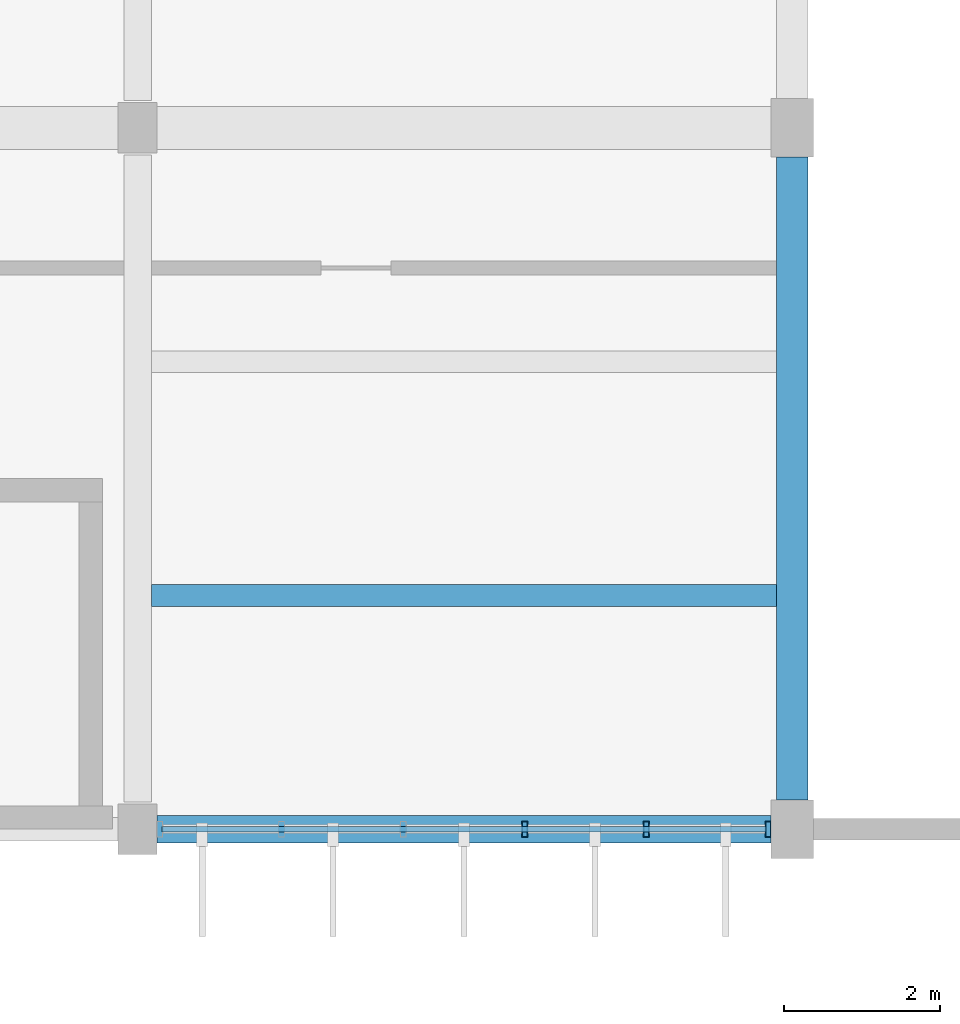
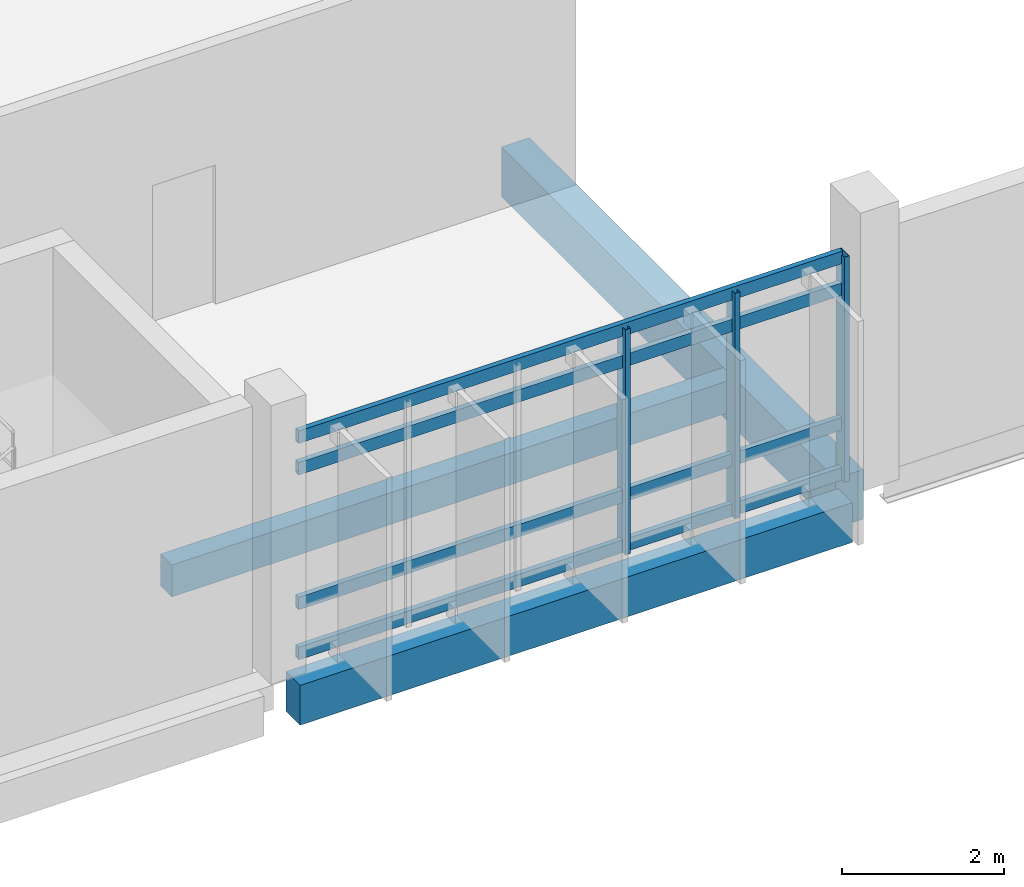
# One storey, part 66 of 101: 7 members, 3 beams, 1 element without a shape of its own.
"""IFC4 building model written with IfcOpenShell, lengths in metres."""

from ifc_helpers import new_model, si_unit, direction, frame, origin, origin_2d, place, context, subcontext, project, spatial, rectangle, hollow_rectangle, extrude, material, layer, layer_set, material_profile, profile_set, type_object, element, aggregate, save


model = new_model("IFC4")

# Units and contexts
model_context = context("Model", 3, precision=1e-05, world=origin(), true_north=direction((0.0, 1.0)))
body_context = subcontext(model_context, "Body", "Model", "MODEL_VIEW")
ifc_project = project(units=[si_unit("LENGTHUNIT", "METRE"), si_unit("AREAUNIT", "SQUARE_METRE"), si_unit("VOLUMEUNIT", "CUBIC_METRE"), si_unit("PLANEANGLEUNIT", "RADIAN"), si_unit("MASSUNIT", "GRAM", prefix="KILO")], contexts=[model_context])

# Site, building, storey
site_placement = place(None, origin())
site = spatial("IfcSite", under=ifc_project, at=site_placement, CompositionType="ELEMENT")
building_placement = place(site_placement, origin())
building = spatial("IfcBuilding", under=site, at=building_placement, Name="Vireocrest Preparatory School", CompositionType="ELEMENT")
storey_placement = place(building_placement, frame((0.0, 0.0, 4.800048828125)))
storey = spatial("IfcBuildingStorey", under=building, at=storey_placement, Name="L01", CompositionType="ELEMENT", Elevation=4.800048828125)

# Curtain wall, members
ifc_material_1 = material(Name="Thermally broken aluminium EN AW-6063-T6", Category="aluminium")
ifc_layer = layer(ifc_material_1, 0.179931640625)
ifc_layer_set = layer_set([ifc_layer], Name="Thermally broken aluminium EN AW-6063-T6")
curtain_wall_type = type_object("IfcCurtainWallType", Name="Side Facade Curtain Wall 9000x4200", PredefinedType="USERDEFINED", material=ifc_layer_set)
curtain_wall_placement = place(storey_placement, origin())
curtain_wall = element("IfcCurtainWall", 1, at=curtain_wall_placement, inside=storey, type_object=curtain_wall_type, Name="Curtain Wall CW07 CW_L01_CW07_1346_0180_048", ObjectType="CURTAIN WALL", PredefinedType="USERDEFINED")
ifc_material_profile_1 = material_profile(ifc_material_1, hollow_rectangle(XDim=0.074951171875, YDim=0.199951171875, WallThickness=0.0048828125, at=origin_2d()), Name="ALU 75x200x5")
ifc_profile_set_1 = profile_set([ifc_material_profile_1], Name="Thermally broken aluminium EN AW-6063-T6")
member_type_1 = type_object("IfcMemberType", Name="CW Mullion 75x200x5", PredefinedType="MULLION", material=ifc_profile_set_1)
member_1_placement = place(storey_placement, frame((139.367919921875, 18.0, 0.0), z_axis=(0.0, 0.0, 1.0), x_axis=(1.0, 0.0, 0.0)))
member_1 = element("IfcMember", 2, at=member_1_placement, type_object=member_type_1, Name="CW Mullion ML3 CW_L01_CW07_1346_0180_048-4", PredefinedType="MULLION", context=body_context, shape_type="SweptSolid", body=[
    extrude(hollow_rectangle(XDim=0.074951171875, YDim=0.199951171875, WallThickness=0.0048828125, at=origin_2d()), origin(), (0.0, 0.0, 1.0), 3.39501953125),
])
member_2_placement = place(storey_placement, frame((140.928955078125, 18.0, 0.0), z_axis=(0.0, 0.0, 1.0), x_axis=(1.0, 0.0, 0.0)))
member_2 = element("IfcMember", 3, at=member_2_placement, type_object=member_type_1, Name="CW Mullion ML3 CW_L01_CW07_1346_0180_048-5", PredefinedType="MULLION", context=body_context, shape_type="SweptSolid", body=[
    extrude(hollow_rectangle(XDim=0.074951171875, YDim=0.199951171875, WallThickness=0.0048828125, at=origin_2d()), origin(), (0.0, 0.0, 1.0), 3.39501953125),
])
member_3_placement = place(storey_placement, frame((142.489990234375, 18.0, 0.0), z_axis=(0.0, 0.0, 1.0), x_axis=(1.0, 0.0, 0.0)))
member_3 = element("IfcMember", 4, at=member_3_placement, type_object=member_type_1, Name="CW Mullion ML3 CW_L01_CW07_1346_0180_048-6", PredefinedType="MULLION", context=body_context, shape_type="SweptSolid", body=[
    extrude(hollow_rectangle(XDim=0.074951171875, YDim=0.199951171875, WallThickness=0.0048828125, at=origin_2d()), origin(), (0.0, 0.0, 1.0), 3.39501953125),
])
ifc_material_profile_2 = material_profile(ifc_material_1, hollow_rectangle(XDim=0.074951171875, YDim=0.18994140625, WallThickness=0.00390625, at=origin_2d()), Name="ALU 75x190x4")
ifc_profile_set_2 = profile_set([ifc_material_profile_2], Name="Thermally broken aluminium EN AW-6063-T6")
member_type_2 = type_object("IfcMemberType", Name="CW Transom 75x190x4", PredefinedType="USERDEFINED", material=ifc_profile_set_2)
member_4_placement = place(storey_placement, frame((134.7099609375, 18.0, 0.094970703125), z_axis=(1.0, 0.0, 0.0), x_axis=(0.0, 1.0, 0.0)))
member_4 = element("IfcMember", 5, at=member_4_placement, type_object=member_type_2, Name="CW Transom TR3 CW_L01_CW07_1346_0180_048-1", ObjectType="TRANSOM", PredefinedType="USERDEFINED", context=body_context, shape_type="SweptSolid", body=[
    extrude(hollow_rectangle(XDim=0.074951171875, YDim=0.18994140625, WallThickness=0.00390625, at=origin_2d()), origin(), (0.0, 0.0, 1.0), 7.755126953125),
])
member_5_placement = place(storey_placement, frame((134.7099609375, 18.0, 0.849853515625), z_axis=(1.0, 0.0, 0.0), x_axis=(0.0, 1.0, 0.0)))
member_5 = element("IfcMember", 6, at=member_5_placement, type_object=member_type_2, Name="CW Transom TR3 CW_L01_CW07_1346_0180_048-2", ObjectType="TRANSOM", PredefinedType="USERDEFINED", context=body_context, shape_type="SweptSolid", body=[
    extrude(hollow_rectangle(XDim=0.074951171875, YDim=0.18994140625, WallThickness=0.00390625, at=origin_2d()), origin(), (0.0, 0.0, 1.0), 7.755126953125),
])
member_6_placement = place(storey_placement, frame((134.7099609375, 18.0, 2.8798828125), z_axis=(1.0, 0.0, 0.0), x_axis=(0.0, 1.0, 0.0)))
member_6 = element("IfcMember", 7, at=member_6_placement, type_object=member_type_2, Name="CW Transom TR3 CW_L01_CW07_1346_0180_048-3", ObjectType="TRANSOM", PredefinedType="USERDEFINED", context=body_context, shape_type="SweptSolid", body=[
    extrude(hollow_rectangle(XDim=0.074951171875, YDim=0.18994140625, WallThickness=0.00390625, at=origin_2d()), origin(), (0.0, 0.0, 1.0), 7.755126953125),
])
member_7_placement = place(storey_placement, frame((134.7099609375, 18.0, 3.35498046875), z_axis=(1.0, 0.0, 0.0), x_axis=(0.0, 1.0, 0.0)))
member_7 = element("IfcMember", 8, at=member_7_placement, type_object=member_type_2, Name="CW Transom TR3 CW_L01_CW07_1346_0180_048-4", ObjectType="TRANSOM", PredefinedType="USERDEFINED", context=body_context, shape_type="SweptSolid", body=[
    extrude(hollow_rectangle(XDim=0.074951171875, YDim=0.18994140625, WallThickness=0.00390625, at=origin_2d()), origin(), (0.0, 0.0, 1.0), 7.755126953125),
])
aggregate(curtain_wall, [member_1, member_2, member_3, member_4, member_5, member_6, member_7])

# Beams
ifc_material_2 = material(Name="Concrete 40 MPa", Category="concrete")
ifc_material_profile_3 = material_profile(ifc_material_2, rectangle(XDim=0.35009765625, YDim=0.60009765625, at=origin_2d()), Name="RC 350x600")
ifc_profile_set_3 = profile_set([ifc_material_profile_3], Name="Concrete 40 MPa")
beam_type_1 = type_object("IfcBeamType", Name="RC Classroom Girder 350x600", PredefinedType="BEAM", material=ifc_profile_set_3)
beam_1_placement = place(storey_placement, frame((134.64990234375, 18.0, -0.580078125), z_axis=(1.0, 0.0, 0.0), x_axis=(0.0, 1.0, 0.0)))
element("IfcBeam", 9, at=beam_1_placement, inside=storey, type_object=beam_type_1, Name="Primary Girder B04 L01-0272", PredefinedType="BEAM", context=body_context, shape_type="SweptSolid", body=[
    extrude(rectangle(XDim=0.35009765625, YDim=0.60009765625, at=origin_2d()), origin(), (0.0, 0.0, 1.0), 7.875),
])
ifc_material_profile_4 = material_profile(ifc_material_2, rectangle(XDim=0.39990234375, YDim=0.75, at=origin_2d()), Name="RC 400x750")
ifc_profile_set_4 = profile_set([ifc_material_profile_4], Name="Concrete 40 MPa")
beam_type_2 = type_object("IfcBeamType", Name="RC Commons Girder 400x750", PredefinedType="BEAM", material=ifc_profile_set_4)
beam_2_placement = place(storey_placement, frame((142.800048828125, 18.375, -0.655029296875), z_axis=(0.0, 1.0, 0.0), x_axis=(-1.0, 0.0, 0.0)))
element("IfcBeam", 10, at=beam_2_placement, inside=storey, type_object=beam_type_2, Name="Primary Girder B09 L01-0488", PredefinedType="BEAM", context=body_context, shape_type="SweptSolid", body=[
    extrude(rectangle(XDim=0.39990234375, YDim=0.75, at=origin_2d()), origin(), (0.0, 0.0, 1.0), 8.25),
])
ifc_material_profile_5 = material_profile(ifc_material_2, rectangle(XDim=0.280029296875, YDim=0.47998046875, at=origin_2d()), Name="RC 280x480")
ifc_profile_set_5 = profile_set([ifc_material_profile_5], Name="Concrete 40 MPa")
beam_type_3 = type_object("IfcBeamType", Name="RC Secondary Lab Joist 280x480", PredefinedType="JOIST", material=ifc_profile_set_5)
beam_3_placement = place(storey_placement, frame((134.574951171875, 21.0, -0.52001953125), z_axis=(1.0, 0.0, 0.0), x_axis=(0.0, 1.0, 0.0)))
element("IfcBeam", 11, at=beam_3_placement, inside=storey, type_object=beam_type_3, Name="Secondary Joist J02 L01-0655", PredefinedType="JOIST", context=body_context, shape_type="SweptSolid", body=[
    extrude(rectangle(XDim=0.280029296875, YDim=0.47998046875, at=origin_2d()), origin(), (0.0, 0.0, 1.0), 8.025146484375),
])

save(model, "model.ifc")
